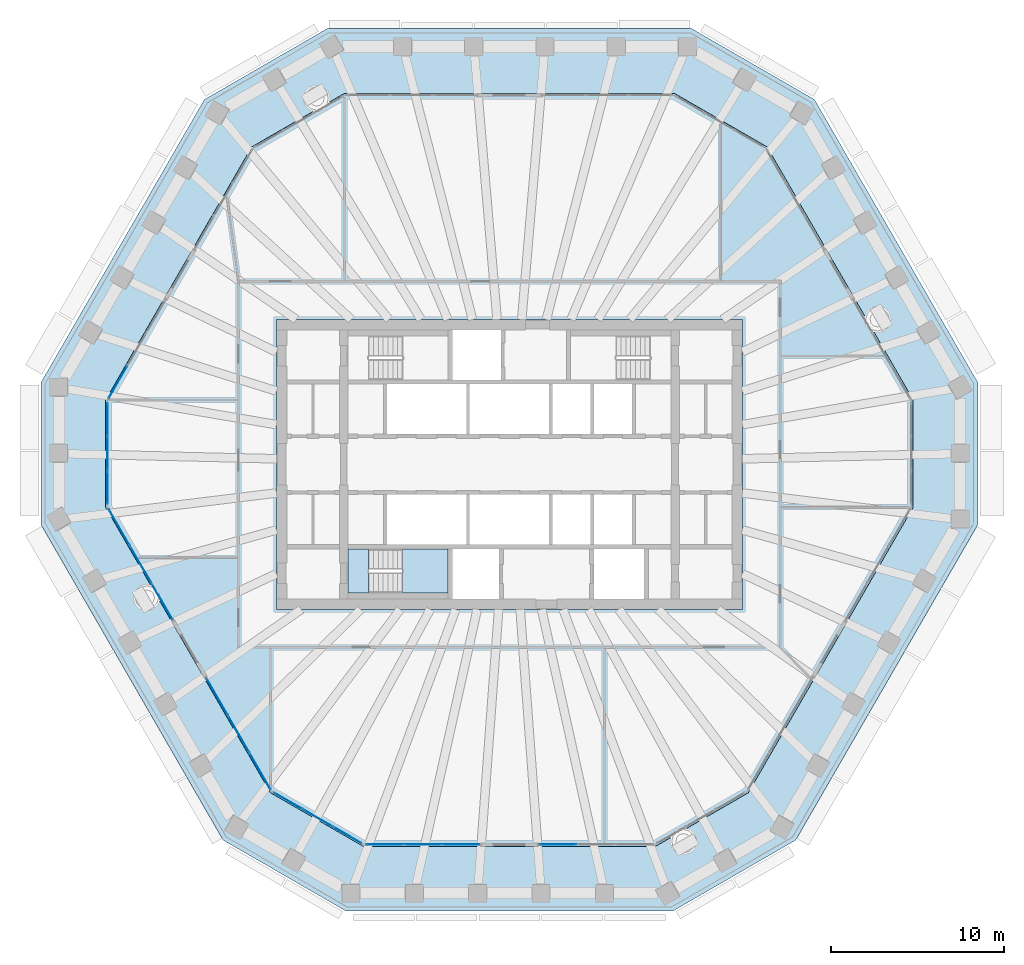
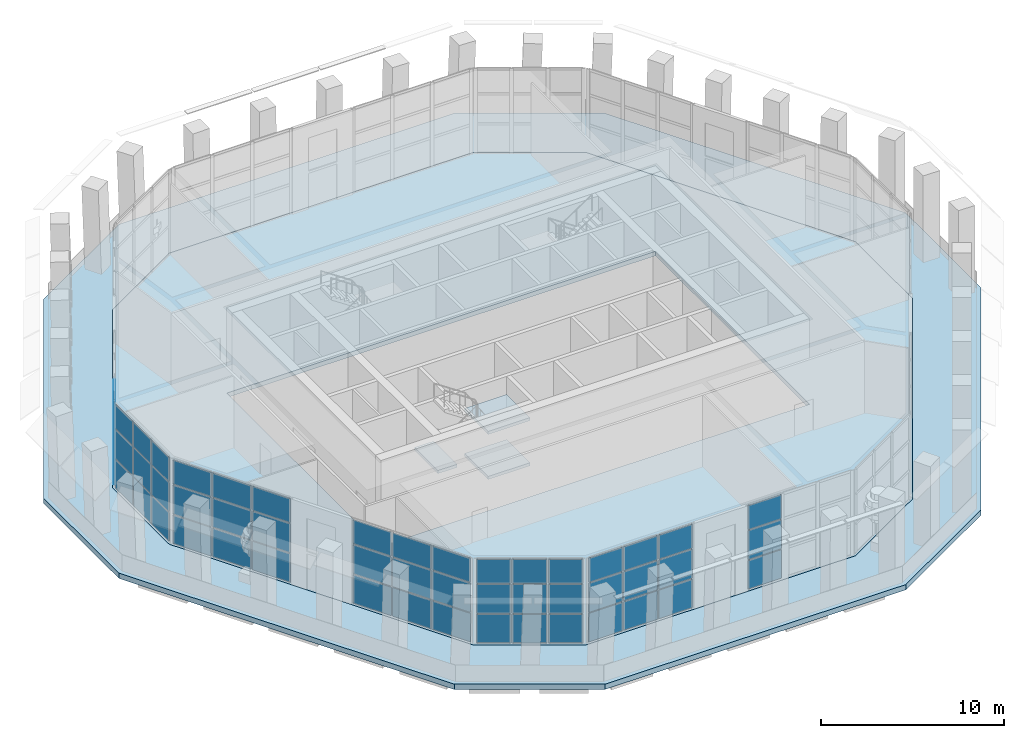
# One storey, part 9 of 19: 51 plates, 5 slabs, 8 elements without a shape of their own.
"""IFC4 building model written with IfcOpenShell, lengths in metres."""

import ifcopenshell
import ifcopenshell.guid

model = None  # the IFC model being written
_history = None  # IfcOwnerHistory: only IFC2X3 demands one
_inside = {}  # id of a spatial element -> (the spatial element, [elements in it])
_under = {}  # id of a project, library or spatial element -> (it, [spatial elements below it])
_declared = {}  # id of a project -> (the project, [libraries it declares])
_typed = {}  # id of a type object -> (the type object, [elements of that type])
_made_of = {}  # id of a material, layer set ... -> (it, [elements and type objects made of it])


def new_model(schema):
    """Start an empty IFC model of exactly this schema.

    Asked for "IFC4X3", IfcOpenShell would pick the latest addendum, in which some entities
    have other attributes; the version numbers below select the first issue.
    IFC2X3 requires an IfcOwnerHistory on every rooted entity: one is made here for all.
    """
    global model, _history
    if schema == "IFC4X3":
        model = ifcopenshell.file(schema_version=(4, 3, 0, 0))
    else:
        model = ifcopenshell.file(schema=schema)
    _inside.clear()
    _under.clear()
    _declared.clear()
    _typed.clear()
    _made_of.clear()
    _history = None
    if model.schema == "IFC2X3":
        org = make("IfcOrganization", Name="unknown")
        user = make(
            "IfcPersonAndOrganization",
            ThePerson=make("IfcPerson", FamilyName="unknown"),
            TheOrganization=org,
        )
        app = make(
            "IfcApplication",
            ApplicationDeveloper=org,
            Version="unknown",
            ApplicationFullName="unknown",
            ApplicationIdentifier="unknown",
        )
        _history = make(
            "IfcOwnerHistory",
            OwningUser=user,
            OwningApplication=app,
            ChangeAction="ADDED",
            CreationDate=0,
        )
    return model


def make(cls, **values):
    """One entity of the class cls with the attributes given. An attribute that is None is left unset."""
    return model.create_entity(
        cls, **{name: value for name, value in values.items() if value is not None}
    )


def rooted(cls, **values):
    """An entity with a GlobalId (a new one), such as an element, a storey or a relation."""
    return make(cls, GlobalId=ifcopenshell.guid.new(), OwnerHistory=_history, **values)


def si_unit(unit_type, name, prefix=None):
    """IfcSIUnit, for example si_unit("LENGTHUNIT", "METRE", prefix="MILLI")."""
    return make("IfcSIUnit", UnitType=unit_type, Prefix=prefix, Name=name)


def assignment(units):
    """IfcUnitAssignment: the units of a project."""
    return None if units is None else make("IfcUnitAssignment", Units=units)


def point(xyz):
    """IfcCartesianPoint."""
    return None if xyz is None else make("IfcCartesianPoint", Coordinates=xyz)


def direction(xyz):
    """IfcDirection."""
    return None if xyz is None else make("IfcDirection", DirectionRatios=xyz)


def frame(location, z_axis=None, x_axis=None):
    """IfcAxis2Placement3D, a coordinate frame: its origin and axes. An axis left out is left unset."""
    return make(
        "IfcAxis2Placement3D",
        Location=point(location),
        Axis=direction(z_axis),
        RefDirection=direction(x_axis),
    )


def frame_2d(location, x_axis=None):
    """IfcAxis2Placement2D, a coordinate frame in the plane: its origin and x axis."""
    return make(
        "IfcAxis2Placement2D", Location=point(location), RefDirection=direction(x_axis)
    )


def origin():
    """The frame at (0, 0, 0) with its axes left unset."""
    return frame((0.0, 0.0, 0.0))


def origin_2d():
    """The frame at (0, 0) in the plane with its x axis left unset."""
    return frame_2d((0.0, 0.0))


def place(relative_to, where):
    """IfcLocalPlacement: puts the frame where relative to a parent placement (None: the world)."""
    return make(
        "IfcLocalPlacement", PlacementRelTo=relative_to, RelativePlacement=where
    )


def context(
    kind, dimensions, precision=None, world=None, true_north=None, identifier=None
):
    """IfcGeometricRepresentationContext, for example the 3D "Model" context."""
    return make(
        "IfcGeometricRepresentationContext",
        ContextIdentifier=identifier,
        ContextType=kind,
        CoordinateSpaceDimension=dimensions,
        Precision=precision,
        WorldCoordinateSystem=world,
        TrueNorth=true_north,
    )


def subcontext(parent, identifier, kind, view, scale=None):
    """IfcGeometricRepresentationSubContext, for example "Body" below "Model"."""
    return make(
        "IfcGeometricRepresentationSubContext",
        ContextIdentifier=identifier,
        ContextType=kind,
        ParentContext=parent,
        TargetScale=scale,
        TargetView=view,
    )


def project(units=None, contexts=None):
    """IfcProject with its units and contexts."""
    return rooted(
        "IfcProject",
        Name="project",
        RepresentationContexts=contexts,
        UnitsInContext=assignment(units),
    )


def spatial(cls, under=None, at=None, **own):
    """A site, building, storey or space (cls), placed at a placement, below another one or the project."""
    s = rooted(cls, ObjectPlacement=at, **own)
    if under is not None:
        _under.setdefault(under.id(), (under, []))[1].append(s)
    return s


def polyline(points):
    """IfcPolyline through the points."""
    return make("IfcPolyline", Points=[point(p) for p in points])


def profile(cls, at=None, kind="AREA", **sizes):
    """A parametric profile (cls). Its sizes go by their IFC names, for example OverallWidth=200.0."""
    return make(cls, ProfileType=kind, Position=at, **sizes)


def rectangle(**sizes):
    """IfcRectangleProfileDef."""
    return profile("IfcRectangleProfileDef", **sizes)


def outline(outer, holes=None, kind="AREA"):
    """IfcArbitraryClosedProfileDef: a profile drawn as a closed curve; with holes, ...WithVoids."""
    if holes is None:
        return make("IfcArbitraryClosedProfileDef", ProfileType=kind, OuterCurve=outer)
    return make(
        "IfcArbitraryProfileDefWithVoids",
        ProfileType=kind,
        OuterCurve=outer,
        InnerCurves=holes,
    )


def extrude(swept, where, along, depth):
    """IfcExtrudedAreaSolid: the profile swept, set in the frame where, extruded along a direction by depth."""
    return make(
        "IfcExtrudedAreaSolid",
        SweptArea=swept,
        Position=where,
        ExtrudedDirection=direction(along),
        Depth=depth,
    )


def shape(context_of_items, identifier, shape_type, items):
    """IfcShapeRepresentation: the items that make up one representation, for example the "Body"."""
    return make(
        "IfcShapeRepresentation",
        ContextOfItems=context_of_items,
        RepresentationIdentifier=identifier,
        RepresentationType=shape_type,
        Items=items,
    )


def material(Name=None, Category=None):
    """IfcMaterial."""
    return make("IfcMaterial", Name=Name, Category=Category)


def layer(
    of_material, thickness, ventilated=None, Name=None, Category=None, Priority=None
):
    """IfcMaterialLayer: one layer of a wall or slab, of a material (None: an air gap)."""
    return make(
        "IfcMaterialLayer",
        Material=of_material,
        LayerThickness=thickness,
        IsVentilated=ventilated,
        Name=Name,
        Category=Category,
        Priority=Priority,
    )


def layer_set(layers, Name=None):
    """IfcMaterialLayerSet."""
    return make("IfcMaterialLayerSet", MaterialLayers=layers, LayerSetName=Name)


def made_of(thing, what):
    """Note that an element or type object is made of a material, layer set ...; save() writes the relation."""
    if what is not None:
        _made_of.setdefault(what.id(), (what, []))[1].append(thing)
    return thing


def type_object(cls, material=None, **own):
    """A type object (cls), such as IfcWallType, which elements share."""
    return made_of(rooted(cls, **own), material)


def element(
    cls,
    number,
    at=None,
    inside=None,
    cuts=None,
    type_object=None,
    material=None,
    context=None,
    identifier="Body",
    shape_type=None,
    held_by="IfcProductDefinitionShape",
    body=None,
    shapes=None,
    **own,
):
    """One element of the class cls, such as IfcWall. Its Tag is "e" and its number.

    at: its placement. inside: the storey or other place that contains it. cuts: it is an
    opening in that element (IfcRelVoidsElement). A single representation is given by context,
    identifier, shape_type and body (its items); several are given by shapes. held_by: the class
    of the entity that holds the representations. save() writes the other relations.
    """
    e = rooted(cls, Tag="e%d" % number, ObjectPlacement=at, **own)
    if body is not None:
        shapes = [shape(context, identifier, shape_type, body)]
    if shapes is not None:
        e.Representation = make(held_by, Representations=shapes)
    if inside is not None:
        _inside.setdefault(inside.id(), (inside, []))[1].append(e)
    if cuts is not None:
        rooted(
            "IfcRelVoidsElement", RelatingBuildingElement=cuts, RelatedOpeningElement=e
        )
    if type_object is not None:
        _typed.setdefault(type_object.id(), (type_object, []))[1].append(e)
    return made_of(e, material)


def aggregate(whole, parts):
    """IfcRelAggregates: a whole, such as a stair, and the parts it consists of."""
    return rooted("IfcRelAggregates", RelatingObject=whole, RelatedObjects=parts)


def save(model, path):
    """Write the relations noted so far, then the file.

    IfcRelAggregates (storeys below a building ...), IfcRelContainedInSpatialStructure (elements
    in a storey), IfcRelDefinesByType, IfcRelAssociatesMaterial and IfcRelDeclares: one each for
    every whole, place, type object, material and project.
    """
    for whole, parts in _under.values():
        aggregate(whole, parts)
    for where, things in _inside.values():
        rooted(
            "IfcRelContainedInSpatialStructure",
            RelatedElements=things,
            RelatingStructure=where,
        )
    for kind, things in _typed.values():
        rooted("IfcRelDefinesByType", RelatedObjects=things, RelatingType=kind)
    for what, things in _made_of.values():
        rooted("IfcRelAssociatesMaterial", RelatedObjects=things, RelatingMaterial=what)
    for by, libraries in _declared.values():
        rooted("IfcRelDeclares", RelatingContext=by, RelatedDefinitions=libraries)
    model.write(path)


model = new_model("IFC4")

# Units and contexts
model_context = context("Model", 3, precision=1e-05, world=origin(), true_north=direction((0.0, 1.0)))
body_context = subcontext(model_context, "Body", "Model", "MODEL_VIEW")
ifc_project = project(units=[si_unit("LENGTHUNIT", "METRE"), si_unit("AREAUNIT", "SQUARE_METRE"), si_unit("VOLUMEUNIT", "CUBIC_METRE"), si_unit("PLANEANGLEUNIT", "RADIAN"), si_unit("MASSUNIT", "GRAM", prefix="KILO")], contexts=[model_context])

# Site, building, storey
site_placement = place(None, origin())
site = spatial("IfcSite", under=ifc_project, at=site_placement, CompositionType="ELEMENT")
building_placement = place(site_placement, origin())
building = spatial("IfcBuilding", under=site, at=building_placement, Name="Frailejon Research Tower", CompositionType="ELEMENT")
storey_placement = place(building_placement, frame((0.0, 0.0, 231.39990234375)))
storey = spatial("IfcBuildingStorey", under=building, at=storey_placement, Name="L50", CompositionType="ELEMENT", Elevation=231.39990234375)

# Slab
ifc_material_1 = material(Name="Concrete C40/50", Category="concrete")
ifc_layer_1 = layer(ifc_material_1, 0.35009765625)
ifc_layer_set_1 = layer_set([ifc_layer_1], Name="Loggia slab 350")
slab_type_1 = type_object("IfcSlabType", Name="Loggia slab 350", PredefinedType="USERDEFINED", material=ifc_layer_set_1)
slab_1_placement = place(storey_placement, frame((0.0, 0.0, -0.349853515625)))
element("IfcSlab", 1, at=slab_1_placement, inside=storey, type_object=slab_type_1, Name="Loggia slab L50", ObjectType="LOGGIA", PredefinedType="USERDEFINED", context=body_context, shape_type="SweptSolid", body=[
    extrude(outline(polyline([(16.5869140625, -21.7705078125), (9.4716796875, -25.87841796875), (-9.4716796875, -25.87841796875), (-16.5869140625, -21.7705078125), (-27.147216796875, -3.4794921875), (-27.147216796875, 4.736572265625), (-17.675537109375, 21.141845703125), (-10.560302734375, 25.25), (10.560302734375, 25.25), (17.675537109375, 21.141845703125), (27.147216796875, 4.736572265625), (27.147216796875, -3.4794921875), (16.5869140625, -21.7705078125)]), holes=[polyline([(23.397216796875, 3.731689453125), (14.930419921875, 18.396728515625), (9.555419921875, 21.5), (-9.555419921875, 21.5), (-14.930419921875, 18.396728515625), (-23.397216796875, 3.731689453125), (-23.397216796875, -2.474609375), (-13.841796875, -19.025390625), (-8.466796875, -22.12841796875), (8.466796875, -22.12841796875), (13.841796875, -19.025390625), (23.397216796875, -2.474609375), (23.397216796875, 3.731689453125)])]), origin(), (0.0, 0.0, 1.0), 0.349853515625),
])

# Curtain wall, plates
ifc_material_2 = material(Name="Aluminium curtain wall", Category="aluminium")
curtain_wall_type = type_object("IfcCurtainWallType", Name="Sky lobby curtain wall system", PredefinedType="NOTDEFINED", material=ifc_material_2)
curtain_wall_1_placement = place(storey_placement, origin())
curtain_wall_1 = element("IfcCurtainWall", 2, at=curtain_wall_1_placement, inside=storey, type_object=curtain_wall_type, Name="Curtain wall L50", PredefinedType="NOTDEFINED")
ifc_material_3 = material(Name="Clear laminated glass", Category="glass")
ifc_layer_2 = layer(ifc_material_3, 0.031982421875)
ifc_layer_set_2 = layer_set([ifc_layer_2], Name="Sky lobby curtain wall glass panel 32")
plate_type = type_object("IfcPlateType", Name="Sky lobby curtain wall glass panel 32", PredefinedType="CURTAIN_PANEL", material=ifc_layer_set_2)
plate_1_placement = place(storey_placement, frame((-22.684326171875, 4.766845703125, 0.070068359375), z_axis=(0.0, 0.0, 1.0), x_axis=(-0.500000064178, -0.866025366731, 0.0)))
plate_1 = element("IfcPlate", 3, at=plate_1_placement, type_object=plate_type, Name="CW4-107 panel 3.1", PredefinedType="CURTAIN_PANEL", context=body_context, shape_type="SweptSolid", body=[
    extrude(rectangle(XDim=2.1123046875, YDim=0.031982421875, at=origin_2d()), origin(), (0.0, 0.0, 1.0), 1.89501953125),
])
plate_2_placement = place(storey_placement, frame((-22.684326171875, 4.766845703125, 2.03515625), z_axis=(0.0, 0.0, 1.0), x_axis=(-0.500000064178, -0.866025366731, 0.0)))
plate_2 = element("IfcPlate", 4, at=plate_2_placement, type_object=plate_type, Name="CW4-107 panel 3.2", PredefinedType="CURTAIN_PANEL", context=body_context, shape_type="SweptSolid", body=[
    extrude(rectangle(XDim=2.1123046875, YDim=0.031982421875, at=origin_2d()), origin(), (0.0, 0.0, 1.0), 1.929931640625),
])
plate_3_placement = place(storey_placement, frame((-22.684326171875, 4.766845703125, 4.03515625), z_axis=(0.0, 0.0, 1.0), x_axis=(-0.500000064178, -0.866025366731, 0.0)))
plate_3 = element("IfcPlate", 5, at=plate_3_placement, type_object=plate_type, Name="CW4-107 panel 3.3", PredefinedType="CURTAIN_PANEL", context=body_context, shape_type="SweptSolid", body=[
    extrude(rectangle(XDim=2.1123046875, YDim=0.031982421875, at=origin_2d()), origin(), (0.0, 0.0, 1.0), 1.594970703125),
])
aggregate(curtain_wall_1, [plate_1, plate_2, plate_3])

curtain_wall_2_placement = place(storey_placement, origin())
curtain_wall_2 = element("IfcCurtainWall", 6, at=curtain_wall_2_placement, inside=storey, type_object=curtain_wall_type, Name="Curtain wall L50", PredefinedType="NOTDEFINED")
plate_4_placement = place(storey_placement, frame((-23.29736328125, 2.595458984375, 0.070068359375), z_axis=(0.0, 0.0, 1.0), x_axis=(0.0, -1.0, 0.0)))
plate_4 = element("IfcPlate", 7, at=plate_4_placement, type_object=plate_type, Name="CW4-108 panel 1.1", PredefinedType="CURTAIN_PANEL", context=body_context, shape_type="SweptSolid", body=[
    extrude(rectangle(XDim=1.87939453125, YDim=0.031982421875, at=origin_2d()), origin(), (0.0, 0.0, 1.0), 1.89501953125),
])
plate_5_placement = place(storey_placement, frame((-23.29736328125, 2.595458984375, 2.03515625), z_axis=(0.0, 0.0, 1.0), x_axis=(0.0, -1.0, 0.0)))
plate_5 = element("IfcPlate", 8, at=plate_5_placement, type_object=plate_type, Name="CW4-108 panel 1.2", PredefinedType="CURTAIN_PANEL", context=body_context, shape_type="SweptSolid", body=[
    extrude(rectangle(XDim=1.87939453125, YDim=0.031982421875, at=origin_2d()), origin(), (0.0, 0.0, 1.0), 1.929931640625),
])
plate_6_placement = place(storey_placement, frame((-23.29736328125, 2.595458984375, 4.03515625), z_axis=(0.0, 0.0, 1.0), x_axis=(0.0, -1.0, 0.0)))
plate_6 = element("IfcPlate", 9, at=plate_6_placement, type_object=plate_type, Name="CW4-108 panel 1.3", PredefinedType="CURTAIN_PANEL", context=body_context, shape_type="SweptSolid", body=[
    extrude(rectangle(XDim=1.87939453125, YDim=0.031982421875, at=origin_2d()), origin(), (0.0, 0.0, 1.0), 1.594970703125),
])
plate_7_placement = place(storey_placement, frame((-23.29736328125, 0.628662109375, 0.070068359375), z_axis=(0.0, 0.0, 1.0), x_axis=(0.0, -1.0, 0.0)))
plate_7 = element("IfcPlate", 10, at=plate_7_placement, type_object=plate_type, Name="CW4-108 panel 2.1", PredefinedType="CURTAIN_PANEL", context=body_context, shape_type="SweptSolid", body=[
    extrude(rectangle(XDim=1.914306640625, YDim=0.031982421875, at=origin_2d()), origin(), (0.0, 0.0, 1.0), 1.89501953125),
])
plate_8_placement = place(storey_placement, frame((-23.29736328125, 0.628662109375, 2.03515625), z_axis=(0.0, 0.0, 1.0), x_axis=(0.0, -1.0, 0.0)))
plate_8 = element("IfcPlate", 11, at=plate_8_placement, type_object=plate_type, Name="CW4-108 panel 2.2", PredefinedType="CURTAIN_PANEL", context=body_context, shape_type="SweptSolid", body=[
    extrude(rectangle(XDim=1.914306640625, YDim=0.031982421875, at=origin_2d()), origin(), (0.0, 0.0, 1.0), 1.929931640625),
])
plate_9_placement = place(storey_placement, frame((-23.29736328125, 0.628662109375, 4.03515625), z_axis=(0.0, 0.0, 1.0), x_axis=(0.0, -1.0, 0.0)))
plate_9 = element("IfcPlate", 12, at=plate_9_placement, type_object=plate_type, Name="CW4-108 panel 2.3", PredefinedType="CURTAIN_PANEL", context=body_context, shape_type="SweptSolid", body=[
    extrude(rectangle(XDim=1.914306640625, YDim=0.031982421875, at=origin_2d()), origin(), (0.0, 0.0, 1.0), 1.594970703125),
])
plate_10_placement = place(storey_placement, frame((-23.29736328125, -1.338134765625, 0.070068359375), z_axis=(0.0, 0.0, 1.0), x_axis=(0.0, -1.0, 0.0)))
plate_10 = element("IfcPlate", 13, at=plate_10_placement, type_object=plate_type, Name="CW4-108 panel 3.1", PredefinedType="CURTAIN_PANEL", context=body_context, shape_type="SweptSolid", body=[
    extrude(rectangle(XDim=1.87939453125, YDim=0.031982421875, at=origin_2d()), origin(), (0.0, 0.0, 1.0), 1.89501953125),
])
plate_11_placement = place(storey_placement, frame((-23.29736328125, -1.338134765625, 2.03515625), z_axis=(0.0, 0.0, 1.0), x_axis=(0.0, -1.0, 0.0)))
plate_11 = element("IfcPlate", 14, at=plate_11_placement, type_object=plate_type, Name="CW4-108 panel 3.2", PredefinedType="CURTAIN_PANEL", context=body_context, shape_type="SweptSolid", body=[
    extrude(rectangle(XDim=1.87939453125, YDim=0.031982421875, at=origin_2d()), origin(), (0.0, 0.0, 1.0), 1.929931640625),
])
plate_12_placement = place(storey_placement, frame((-23.29736328125, -1.338134765625, 4.03515625), z_axis=(0.0, 0.0, 1.0), x_axis=(0.0, -1.0, 0.0)))
plate_12 = element("IfcPlate", 15, at=plate_12_placement, type_object=plate_type, Name="CW4-108 panel 3.3", PredefinedType="CURTAIN_PANEL", context=body_context, shape_type="SweptSolid", body=[
    extrude(rectangle(XDim=1.87939453125, YDim=0.031982421875, at=origin_2d()), origin(), (0.0, 0.0, 1.0), 1.594970703125),
])
aggregate(curtain_wall_2, [plate_4, plate_5, plate_6, plate_7, plate_8, plate_9, plate_10, plate_11, plate_12])

curtain_wall_3_placement = place(storey_placement, origin())
curtain_wall_3 = element("IfcCurtainWall", 16, at=curtain_wall_3_placement, inside=storey, type_object=curtain_wall_type, Name="Curtain wall L50", PredefinedType="NOTDEFINED")
plate_13_placement = place(storey_placement, frame((-22.611572265625, -3.635498046875, 0.070068359375), z_axis=(0.0, 0.0, 1.0), x_axis=(0.500000524505, -0.866025100961, 0.0)))
plate_13 = element("IfcPlate", 17, at=plate_13_placement, type_object=plate_type, Name="CW4-109 panel 1.1", PredefinedType="CURTAIN_PANEL", context=body_context, shape_type="SweptSolid", body=[
    extrude(rectangle(XDim=2.402587890625, YDim=0.031982421875, at=origin_2d()), origin(), (0.0, 0.0, 1.0), 1.89501953125),
])
plate_14_placement = place(storey_placement, frame((-22.611572265625, -3.635498046875, 2.03515625), z_axis=(0.0, 0.0, 1.0), x_axis=(0.500000524505, -0.866025100961, 0.0)))
plate_14 = element("IfcPlate", 18, at=plate_14_placement, type_object=plate_type, Name="CW4-109 panel 1.2", PredefinedType="CURTAIN_PANEL", context=body_context, shape_type="SweptSolid", body=[
    extrude(rectangle(XDim=2.402587890625, YDim=0.031982421875, at=origin_2d()), origin(), (0.0, 0.0, 1.0), 1.929931640625),
])
plate_15_placement = place(storey_placement, frame((-22.611572265625, -3.635498046875, 4.03515625), z_axis=(0.0, 0.0, 1.0), x_axis=(0.500000524505, -0.866025100961, 0.0)))
plate_15 = element("IfcPlate", 19, at=plate_15_placement, type_object=plate_type, Name="CW4-109 panel 1.3", PredefinedType="CURTAIN_PANEL", context=body_context, shape_type="SweptSolid", body=[
    extrude(rectangle(XDim=2.402587890625, YDim=0.031982421875, at=origin_2d()), origin(), (0.0, 0.0, 1.0), 1.594970703125),
])
plate_16_placement = place(storey_placement, frame((-21.366455078125, -5.7919921875, 0.070068359375), z_axis=(0.0, 0.0, 1.0), x_axis=(0.500000524505, -0.866025100961, 0.0)))
plate_16 = element("IfcPlate", 20, at=plate_16_placement, type_object=plate_type, Name="CW4-109 panel 2.1", PredefinedType="CURTAIN_PANEL", context=body_context, shape_type="SweptSolid", body=[
    extrude(rectangle(XDim=2.437744140625, YDim=0.031982421875, at=origin_2d()), origin(), (0.0, 0.0, 1.0), 1.89501953125),
])
plate_17_placement = place(storey_placement, frame((-21.366455078125, -5.7919921875, 2.03515625), z_axis=(0.0, 0.0, 1.0), x_axis=(0.500000524505, -0.866025100961, 0.0)))
plate_17 = element("IfcPlate", 21, at=plate_17_placement, type_object=plate_type, Name="CW4-109 panel 2.2", PredefinedType="CURTAIN_PANEL", context=body_context, shape_type="SweptSolid", body=[
    extrude(rectangle(XDim=2.437744140625, YDim=0.031982421875, at=origin_2d()), origin(), (0.0, 0.0, 1.0), 1.929931640625),
])
plate_18_placement = place(storey_placement, frame((-21.366455078125, -5.7919921875, 4.03515625), z_axis=(0.0, 0.0, 1.0), x_axis=(0.500000524505, -0.866025100961, 0.0)))
plate_18 = element("IfcPlate", 22, at=plate_18_placement, type_object=plate_type, Name="CW4-109 panel 2.3", PredefinedType="CURTAIN_PANEL", context=body_context, shape_type="SweptSolid", body=[
    extrude(rectangle(XDim=2.437744140625, YDim=0.031982421875, at=origin_2d()), origin(), (0.0, 0.0, 1.0), 1.594970703125),
])
plate_19_placement = place(storey_placement, frame((-20.12158203125, -7.948486328125, 0.070068359375), z_axis=(0.0, 0.0, 1.0), x_axis=(0.500000524505, -0.866025100961, 0.0)))
plate_19 = element("IfcPlate", 23, at=plate_19_placement, type_object=plate_type, Name="CW4-109 panel 3.1", PredefinedType="CURTAIN_PANEL", context=body_context, shape_type="SweptSolid", body=[
    extrude(rectangle(XDim=2.402587890625, YDim=0.031982421875, at=origin_2d()), origin(), (0.0, 0.0, 1.0), 1.89501953125),
])
plate_20_placement = place(storey_placement, frame((-20.12158203125, -7.948486328125, 2.03515625), z_axis=(0.0, 0.0, 1.0), x_axis=(0.500000524505, -0.866025100961, 0.0)))
plate_20 = element("IfcPlate", 24, at=plate_20_placement, type_object=plate_type, Name="CW4-109 panel 3.2", PredefinedType="CURTAIN_PANEL", context=body_context, shape_type="SweptSolid", body=[
    extrude(rectangle(XDim=2.402587890625, YDim=0.031982421875, at=origin_2d()), origin(), (0.0, 0.0, 1.0), 1.929931640625),
])
plate_21_placement = place(storey_placement, frame((-20.12158203125, -7.948486328125, 4.03515625), z_axis=(0.0, 0.0, 1.0), x_axis=(0.500000524505, -0.866025100961, 0.0)))
plate_21 = element("IfcPlate", 25, at=plate_21_placement, type_object=plate_type, Name="CW4-109 panel 3.3", PredefinedType="CURTAIN_PANEL", context=body_context, shape_type="SweptSolid", body=[
    extrude(rectangle(XDim=2.402587890625, YDim=0.031982421875, at=origin_2d()), origin(), (0.0, 0.0, 1.0), 1.594970703125),
])
aggregate(curtain_wall_3, [plate_13, plate_14, plate_15, plate_16, plate_17, plate_18, plate_19, plate_20, plate_21])

curtain_wall_4_placement = place(storey_placement, origin())
curtain_wall_4 = element("IfcCurtainWall", 26, at=curtain_wall_4_placement, inside=storey, type_object=curtain_wall_type, Name="Curtain wall L50", PredefinedType="NOTDEFINED")
plate_22_placement = place(storey_placement, frame((-16.9443359375, -13.451416015625, 0.070068359375), z_axis=(0.0, 0.0, 1.0), x_axis=(0.500000524505, -0.866025100961, 0.0)))
plate_22 = element("IfcPlate", 27, at=plate_22_placement, type_object=plate_type, Name="CW4-110 panel 1.1", PredefinedType="CURTAIN_PANEL", context=body_context, shape_type="SweptSolid", body=[
    extrude(rectangle(XDim=2.402587890625, YDim=0.031982421875, at=origin_2d()), origin(), (0.0, 0.0, 1.0), 1.89501953125),
])
plate_23_placement = place(storey_placement, frame((-16.9443359375, -13.451416015625, 2.03515625), z_axis=(0.0, 0.0, 1.0), x_axis=(0.500000524505, -0.866025100961, 0.0)))
plate_23 = element("IfcPlate", 28, at=plate_23_placement, type_object=plate_type, Name="CW4-110 panel 1.2", PredefinedType="CURTAIN_PANEL", context=body_context, shape_type="SweptSolid", body=[
    extrude(rectangle(XDim=2.402587890625, YDim=0.031982421875, at=origin_2d()), origin(), (0.0, 0.0, 1.0), 1.929931640625),
])
plate_24_placement = place(storey_placement, frame((-16.9443359375, -13.451416015625, 4.03515625), z_axis=(0.0, 0.0, 1.0), x_axis=(0.500000524505, -0.866025100961, 0.0)))
plate_24 = element("IfcPlate", 29, at=plate_24_placement, type_object=plate_type, Name="CW4-110 panel 1.3", PredefinedType="CURTAIN_PANEL", context=body_context, shape_type="SweptSolid", body=[
    extrude(rectangle(XDim=2.402587890625, YDim=0.031982421875, at=origin_2d()), origin(), (0.0, 0.0, 1.0), 1.594970703125),
])
plate_25_placement = place(storey_placement, frame((-15.699462890625, -15.60791015625, 0.070068359375), z_axis=(0.0, 0.0, 1.0), x_axis=(0.500000524505, -0.866025100961, 0.0)))
plate_25 = element("IfcPlate", 30, at=plate_25_placement, type_object=plate_type, Name="CW4-110 panel 2.1", PredefinedType="CURTAIN_PANEL", context=body_context, shape_type="SweptSolid", body=[
    extrude(rectangle(XDim=2.437744140625, YDim=0.031982421875, at=origin_2d()), origin(), (0.0, 0.0, 1.0), 1.89501953125),
])
plate_26_placement = place(storey_placement, frame((-15.699462890625, -15.60791015625, 2.03515625), z_axis=(0.0, 0.0, 1.0), x_axis=(0.500000524505, -0.866025100961, 0.0)))
plate_26 = element("IfcPlate", 31, at=plate_26_placement, type_object=plate_type, Name="CW4-110 panel 2.2", PredefinedType="CURTAIN_PANEL", context=body_context, shape_type="SweptSolid", body=[
    extrude(rectangle(XDim=2.437744140625, YDim=0.031982421875, at=origin_2d()), origin(), (0.0, 0.0, 1.0), 1.929931640625),
])
plate_27_placement = place(storey_placement, frame((-15.699462890625, -15.60791015625, 4.03515625), z_axis=(0.0, 0.0, 1.0), x_axis=(0.500000524505, -0.866025100961, 0.0)))
plate_27 = element("IfcPlate", 32, at=plate_27_placement, type_object=plate_type, Name="CW4-110 panel 2.3", PredefinedType="CURTAIN_PANEL", context=body_context, shape_type="SweptSolid", body=[
    extrude(rectangle(XDim=2.437744140625, YDim=0.031982421875, at=origin_2d()), origin(), (0.0, 0.0, 1.0), 1.594970703125),
])
plate_28_placement = place(storey_placement, frame((-14.454345703125, -17.764404296875, 0.070068359375), z_axis=(0.0, 0.0, 1.0), x_axis=(0.500000524505, -0.866025100961, 0.0)))
plate_28 = element("IfcPlate", 33, at=plate_28_placement, type_object=plate_type, Name="CW4-110 panel 3.1", PredefinedType="CURTAIN_PANEL", context=body_context, shape_type="SweptSolid", body=[
    extrude(rectangle(XDim=2.402587890625, YDim=0.031982421875, at=origin_2d()), origin(), (0.0, 0.0, 1.0), 1.89501953125),
])
plate_29_placement = place(storey_placement, frame((-14.454345703125, -17.764404296875, 2.03515625), z_axis=(0.0, 0.0, 1.0), x_axis=(0.500000524505, -0.866025100961, 0.0)))
plate_29 = element("IfcPlate", 34, at=plate_29_placement, type_object=plate_type, Name="CW4-110 panel 3.2", PredefinedType="CURTAIN_PANEL", context=body_context, shape_type="SweptSolid", body=[
    extrude(rectangle(XDim=2.402587890625, YDim=0.031982421875, at=origin_2d()), origin(), (0.0, 0.0, 1.0), 1.929931640625),
])
plate_30_placement = place(storey_placement, frame((-14.454345703125, -17.764404296875, 4.03515625), z_axis=(0.0, 0.0, 1.0), x_axis=(0.500000524505, -0.866025100961, 0.0)))
plate_30 = element("IfcPlate", 35, at=plate_30_placement, type_object=plate_type, Name="CW4-110 panel 3.3", PredefinedType="CURTAIN_PANEL", context=body_context, shape_type="SweptSolid", body=[
    extrude(rectangle(XDim=2.402587890625, YDim=0.031982421875, at=origin_2d()), origin(), (0.0, 0.0, 1.0), 1.594970703125),
])
aggregate(curtain_wall_4, [plate_22, plate_23, plate_24, plate_25, plate_26, plate_27, plate_28, plate_29, plate_30])

curtain_wall_5_placement = place(storey_placement, origin())
curtain_wall_5 = element("IfcCurtainWall", 36, at=curtain_wall_5_placement, inside=storey, type_object=curtain_wall_type, Name="Curtain wall L50", PredefinedType="NOTDEFINED")
plate_31_placement = place(storey_placement, frame((-12.8076171875, -19.5068359375, 0.070068359375), z_axis=(0.0, 0.0, 1.0), x_axis=(0.866030610282, -0.499990981974, 0.0)))
plate_31 = element("IfcPlate", 37, at=plate_31_placement, type_object=plate_type, Name="CW4-111 panel 1.1", PredefinedType="CURTAIN_PANEL", context=body_context, shape_type="SweptSolid", body=[
    extrude(rectangle(XDim=1.87939453125, YDim=0.031982421875, at=origin_2d()), origin(), (0.0, 0.0, 1.0), 1.89501953125),
])
plate_32_placement = place(storey_placement, frame((-12.8076171875, -19.5068359375, 2.03515625), z_axis=(0.0, 0.0, 1.0), x_axis=(0.866030610282, -0.499990981974, 0.0)))
plate_32 = element("IfcPlate", 38, at=plate_32_placement, type_object=plate_type, Name="CW4-111 panel 1.2", PredefinedType="CURTAIN_PANEL", context=body_context, shape_type="SweptSolid", body=[
    extrude(rectangle(XDim=1.87939453125, YDim=0.031982421875, at=origin_2d()), origin(), (0.0, 0.0, 1.0), 1.929931640625),
])
plate_33_placement = place(storey_placement, frame((-12.8076171875, -19.5068359375, 4.03515625), z_axis=(0.0, 0.0, 1.0), x_axis=(0.866030610282, -0.499990981974, 0.0)))
plate_33 = element("IfcPlate", 39, at=plate_33_placement, type_object=plate_type, Name="CW4-111 panel 1.3", PredefinedType="CURTAIN_PANEL", context=body_context, shape_type="SweptSolid", body=[
    extrude(rectangle(XDim=1.87939453125, YDim=0.031982421875, at=origin_2d()), origin(), (0.0, 0.0, 1.0), 1.594970703125),
])
plate_34_placement = place(storey_placement, frame((-11.104248046875, -20.490234375, 0.070068359375), z_axis=(0.0, 0.0, 1.0), x_axis=(0.866030610282, -0.499990981974, 0.0)))
plate_34 = element("IfcPlate", 40, at=plate_34_placement, type_object=plate_type, Name="CW4-111 panel 2.1", PredefinedType="CURTAIN_PANEL", context=body_context, shape_type="SweptSolid", body=[
    extrude(rectangle(XDim=1.914306640625, YDim=0.031982421875, at=origin_2d()), origin(), (0.0, 0.0, 1.0), 1.89501953125),
])
plate_35_placement = place(storey_placement, frame((-11.104248046875, -20.490234375, 2.03515625), z_axis=(0.0, 0.0, 1.0), x_axis=(0.866030610282, -0.499990981974, 0.0)))
plate_35 = element("IfcPlate", 41, at=plate_35_placement, type_object=plate_type, Name="CW4-111 panel 2.2", PredefinedType="CURTAIN_PANEL", context=body_context, shape_type="SweptSolid", body=[
    extrude(rectangle(XDim=1.914306640625, YDim=0.031982421875, at=origin_2d()), origin(), (0.0, 0.0, 1.0), 1.929931640625),
])
plate_36_placement = place(storey_placement, frame((-11.104248046875, -20.490234375, 4.03515625), z_axis=(0.0, 0.0, 1.0), x_axis=(0.866030610282, -0.499990981974, 0.0)))
plate_36 = element("IfcPlate", 42, at=plate_36_placement, type_object=plate_type, Name="CW4-111 panel 2.3", PredefinedType="CURTAIN_PANEL", context=body_context, shape_type="SweptSolid", body=[
    extrude(rectangle(XDim=1.914306640625, YDim=0.031982421875, at=origin_2d()), origin(), (0.0, 0.0, 1.0), 1.594970703125),
])
plate_37_placement = place(storey_placement, frame((-9.40087890625, -21.4736328125, 0.070068359375), z_axis=(0.0, 0.0, 1.0), x_axis=(0.866030610282, -0.499990981974, 0.0)))
plate_37 = element("IfcPlate", 43, at=plate_37_placement, type_object=plate_type, Name="CW4-111 panel 3.1", PredefinedType="CURTAIN_PANEL", context=body_context, shape_type="SweptSolid", body=[
    extrude(rectangle(XDim=1.87939453125, YDim=0.031982421875, at=origin_2d()), origin(), (0.0, 0.0, 1.0), 1.89501953125),
])
plate_38_placement = place(storey_placement, frame((-9.40087890625, -21.4736328125, 2.03515625), z_axis=(0.0, 0.0, 1.0), x_axis=(0.866030610282, -0.499990981974, 0.0)))
plate_38 = element("IfcPlate", 44, at=plate_38_placement, type_object=plate_type, Name="CW4-111 panel 3.2", PredefinedType="CURTAIN_PANEL", context=body_context, shape_type="SweptSolid", body=[
    extrude(rectangle(XDim=1.87939453125, YDim=0.031982421875, at=origin_2d()), origin(), (0.0, 0.0, 1.0), 1.929931640625),
])
plate_39_placement = place(storey_placement, frame((-9.40087890625, -21.4736328125, 4.03515625), z_axis=(0.0, 0.0, 1.0), x_axis=(0.866030610282, -0.499990981974, 0.0)))
plate_39 = element("IfcPlate", 45, at=plate_39_placement, type_object=plate_type, Name="CW4-111 panel 3.3", PredefinedType="CURTAIN_PANEL", context=body_context, shape_type="SweptSolid", body=[
    extrude(rectangle(XDim=1.87939453125, YDim=0.031982421875, at=origin_2d()), origin(), (0.0, 0.0, 1.0), 1.594970703125),
])
aggregate(curtain_wall_5, [plate_31, plate_32, plate_33, plate_34, plate_35, plate_36, plate_37, plate_38, plate_39])

curtain_wall_6_placement = place(storey_placement, origin())
curtain_wall_6 = element("IfcCurtainWall", 46, at=curtain_wall_6_placement, inside=storey, type_object=curtain_wall_type, Name="Curtain wall L50", PredefinedType="NOTDEFINED")
plate_40_placement = place(storey_placement, frame((-7.2138671875, -22.028564453125, 0.070068359375), z_axis=(0.0, 0.0, 1.0), x_axis=(1.0, 0.0, 0.0)))
plate_40 = element("IfcPlate", 47, at=plate_40_placement, type_object=plate_type, Name="CW4-112 panel 1.1", PredefinedType="CURTAIN_PANEL", context=body_context, shape_type="SweptSolid", body=[
    extrude(rectangle(XDim=2.1123046875, YDim=0.031982421875, at=origin_2d()), origin(), (0.0, 0.0, 1.0), 1.89501953125),
])
plate_41_placement = place(storey_placement, frame((-7.2138671875, -22.028564453125, 2.03515625), z_axis=(0.0, 0.0, 1.0), x_axis=(1.0, 0.0, 0.0)))
plate_41 = element("IfcPlate", 48, at=plate_41_placement, type_object=plate_type, Name="CW4-112 panel 1.2", PredefinedType="CURTAIN_PANEL", context=body_context, shape_type="SweptSolid", body=[
    extrude(rectangle(XDim=2.1123046875, YDim=0.031982421875, at=origin_2d()), origin(), (0.0, 0.0, 1.0), 1.929931640625),
])
plate_42_placement = place(storey_placement, frame((-7.2138671875, -22.028564453125, 4.03515625), z_axis=(0.0, 0.0, 1.0), x_axis=(1.0, 0.0, 0.0)))
plate_42 = element("IfcPlate", 49, at=plate_42_placement, type_object=plate_type, Name="CW4-112 panel 1.3", PredefinedType="CURTAIN_PANEL", context=body_context, shape_type="SweptSolid", body=[
    extrude(rectangle(XDim=2.1123046875, YDim=0.031982421875, at=origin_2d()), origin(), (0.0, 0.0, 1.0), 1.594970703125),
])
plate_43_placement = place(storey_placement, frame((-5.013916015625, -22.028564453125, 0.070068359375), z_axis=(0.0, 0.0, 1.0), x_axis=(1.0, 0.0, 0.0)))
plate_43 = element("IfcPlate", 50, at=plate_43_placement, type_object=plate_type, Name="CW4-112 panel 2.1", PredefinedType="CURTAIN_PANEL", context=body_context, shape_type="SweptSolid", body=[
    extrude(rectangle(XDim=2.147216796875, YDim=0.031982421875, at=origin_2d()), origin(), (0.0, 0.0, 1.0), 1.89501953125),
])
plate_44_placement = place(storey_placement, frame((-5.013916015625, -22.028564453125, 2.03515625), z_axis=(0.0, 0.0, 1.0), x_axis=(1.0, 0.0, 0.0)))
plate_44 = element("IfcPlate", 51, at=plate_44_placement, type_object=plate_type, Name="CW4-112 panel 2.2", PredefinedType="CURTAIN_PANEL", context=body_context, shape_type="SweptSolid", body=[
    extrude(rectangle(XDim=2.147216796875, YDim=0.031982421875, at=origin_2d()), origin(), (0.0, 0.0, 1.0), 1.929931640625),
])
plate_45_placement = place(storey_placement, frame((-5.013916015625, -22.028564453125, 4.03515625), z_axis=(0.0, 0.0, 1.0), x_axis=(1.0, 0.0, 0.0)))
plate_45 = element("IfcPlate", 52, at=plate_45_placement, type_object=plate_type, Name="CW4-112 panel 2.3", PredefinedType="CURTAIN_PANEL", context=body_context, shape_type="SweptSolid", body=[
    extrude(rectangle(XDim=2.147216796875, YDim=0.031982421875, at=origin_2d()), origin(), (0.0, 0.0, 1.0), 1.594970703125),
])
plate_46_placement = place(storey_placement, frame((-2.814208984375, -22.028564453125, 0.070068359375), z_axis=(0.0, 0.0, 1.0), x_axis=(1.0, 0.0, 0.0)))
plate_46 = element("IfcPlate", 53, at=plate_46_placement, type_object=plate_type, Name="CW4-112 panel 3.1", PredefinedType="CURTAIN_PANEL", context=body_context, shape_type="SweptSolid", body=[
    extrude(rectangle(XDim=2.1123046875, YDim=0.031982421875, at=origin_2d()), origin(), (0.0, 0.0, 1.0), 1.89501953125),
])
plate_47_placement = place(storey_placement, frame((-2.814208984375, -22.028564453125, 2.03515625), z_axis=(0.0, 0.0, 1.0), x_axis=(1.0, 0.0, 0.0)))
plate_47 = element("IfcPlate", 54, at=plate_47_placement, type_object=plate_type, Name="CW4-112 panel 3.2", PredefinedType="CURTAIN_PANEL", context=body_context, shape_type="SweptSolid", body=[
    extrude(rectangle(XDim=2.1123046875, YDim=0.031982421875, at=origin_2d()), origin(), (0.0, 0.0, 1.0), 1.929931640625),
])
plate_48_placement = place(storey_placement, frame((-2.814208984375, -22.028564453125, 4.03515625), z_axis=(0.0, 0.0, 1.0), x_axis=(1.0, 0.0, 0.0)))
plate_48 = element("IfcPlate", 55, at=plate_48_placement, type_object=plate_type, Name="CW4-112 panel 3.3", PredefinedType="CURTAIN_PANEL", context=body_context, shape_type="SweptSolid", body=[
    extrude(rectangle(XDim=2.1123046875, YDim=0.031982421875, at=origin_2d()), origin(), (0.0, 0.0, 1.0), 1.594970703125),
])
aggregate(curtain_wall_6, [plate_40, plate_41, plate_42, plate_43, plate_44, plate_45, plate_46, plate_47, plate_48])

curtain_wall_7_placement = place(storey_placement, origin())
curtain_wall_7 = element("IfcCurtainWall", 56, at=curtain_wall_7_placement, inside=storey, type_object=curtain_wall_type, Name="Curtain wall L50", PredefinedType="NOTDEFINED")
plate_49_placement = place(storey_placement, frame((2.814208984375, -22.028564453125, 0.070068359375), z_axis=(0.0, 0.0, 1.0), x_axis=(1.0, 0.0, 0.0)))
plate_49 = element("IfcPlate", 57, at=plate_49_placement, type_object=plate_type, Name="CW4-113 panel 1.1", PredefinedType="CURTAIN_PANEL", context=body_context, shape_type="SweptSolid", body=[
    extrude(rectangle(XDim=2.1123046875, YDim=0.031982421875, at=origin_2d()), origin(), (0.0, 0.0, 1.0), 1.89501953125),
])
plate_50_placement = place(storey_placement, frame((2.814208984375, -22.028564453125, 2.03515625), z_axis=(0.0, 0.0, 1.0), x_axis=(1.0, 0.0, 0.0)))
plate_50 = element("IfcPlate", 58, at=plate_50_placement, type_object=plate_type, Name="CW4-113 panel 1.2", PredefinedType="CURTAIN_PANEL", context=body_context, shape_type="SweptSolid", body=[
    extrude(rectangle(XDim=2.1123046875, YDim=0.031982421875, at=origin_2d()), origin(), (0.0, 0.0, 1.0), 1.929931640625),
])
plate_51_placement = place(storey_placement, frame((2.814208984375, -22.028564453125, 4.03515625), z_axis=(0.0, 0.0, 1.0), x_axis=(1.0, 0.0, 0.0)))
plate_51 = element("IfcPlate", 59, at=plate_51_placement, type_object=plate_type, Name="CW4-113 panel 1.3", PredefinedType="CURTAIN_PANEL", context=body_context, shape_type="SweptSolid", body=[
    extrude(rectangle(XDim=2.1123046875, YDim=0.031982421875, at=origin_2d()), origin(), (0.0, 0.0, 1.0), 1.594970703125),
])
aggregate(curtain_wall_7, [plate_49, plate_50, plate_51])

# Slab
ifc_material_4 = material(Name="Concrete C40/50", Category="concrete")
ifc_layer_3 = layer(ifc_material_4, 0.300048828125)
ifc_layer_set_3 = layer_set([ifc_layer_3], Name="Slab typical 300")
slab_type_2 = type_object("IfcSlabType", Name="Slab typical 300", PredefinedType="FLOOR", material=ifc_layer_set_3)
slab_2_placement = place(storey_placement, frame((0.0, 0.0, -0.2998046875)))
element("IfcSlab", 60, at=slab_2_placement, inside=storey, type_object=slab_type_2, Name="Floor slab L50", PredefinedType="FLOOR", context=body_context, shape_type="SweptSolid", body=[
    extrude(outline(polyline([(23.397216796875, -2.474609375), (23.397216796875, 3.731689453125), (14.930419921875, 18.396728515625), (9.555419921875, 21.5), (-9.555419921875, 21.5), (-14.930419921875, 18.396728515625), (-23.397216796875, 3.731689453125), (-23.397216796875, -2.474609375), (-13.841796875, -19.025390625), (-8.466796875, -22.12841796875), (8.466796875, -22.12841796875), (13.841796875, -19.025390625), (23.397216796875, -2.474609375)]), holes=[polyline([(13.5, -8.39990234375), (-13.5, -8.39990234375), (-13.5, 8.39990234375), (13.5, 8.39990234375), (13.5, -8.39990234375)])]), origin(), (0.0, 0.0, 1.0), 0.2998046875),
])

# Stair, slabs
ifc_material_5 = material(Name="Concrete C50/60", Category="concrete")
stair_type = type_object("IfcStairType", Name="Exit stair 32 risers", PredefinedType="HALF_TURN_STAIR", material=ifc_material_5)
stair_placement = place(storey_placement, origin())
stair = element("IfcStair", 61, at=stair_placement, inside=storey, type_object=stair_type, Name="L50 Exit stair ST2", PredefinedType="HALF_TURN_STAIR")
ifc_material_6 = material(Name="Concrete C50/60", Category="concrete")
ifc_layer_4 = layer(ifc_material_6, 0.199951171875)
ifc_layer_set_4 = layer_set([ifc_layer_4], Name="Stair landing slab 200")
slab_type_3 = type_object("IfcSlabType", Name="Stair landing slab 200", PredefinedType="LANDING", material=ifc_layer_set_4)
slab_3_placement = place(storey_placement, frame((0.0, 0.0, 1.300048828125)))
slab_3 = element("IfcSlab", 62, at=slab_3_placement, type_object=slab_type_3, Name="ST2 landing 1", PredefinedType="LANDING", context=body_context, shape_type="SweptSolid", body=[
    extrude(outline(polyline([(-6.18994140625, -7.449951171875), (-3.550048828125, -7.449951171875), (-3.550048828125, -4.89990234375), (-6.18994140625, -4.89990234375), (-6.18994140625, -7.449951171875)])), origin(), (0.0, 0.0, 1.0), 0.199951171875),
])
slab_4_placement = place(storey_placement, frame((0.0, 0.0, 2.800048828125)))
slab_4 = element("IfcSlab", 63, at=slab_4_placement, type_object=slab_type_3, Name="ST2 landing 2", PredefinedType="LANDING", context=body_context, shape_type="SweptSolid", body=[
    extrude(outline(polyline([(-9.35009765625, -7.449951171875), (-8.14990234375, -7.449951171875), (-8.14990234375, -4.89990234375), (-9.35009765625, -4.89990234375), (-9.35009765625, -7.449951171875)])), origin(), (0.0, 0.0, 1.0), 0.199951171875),
])
slab_5_placement = place(storey_placement, frame((0.0, 0.0, 4.300048828125)))
slab_5 = element("IfcSlab", 64, at=slab_5_placement, type_object=slab_type_3, Name="ST2 landing 3", PredefinedType="LANDING", context=body_context, shape_type="SweptSolid", body=[
    extrude(outline(polyline([(-6.18994140625, -7.449951171875), (-3.550048828125, -7.449951171875), (-3.550048828125, -4.89990234375), (-6.18994140625, -4.89990234375), (-6.18994140625, -7.449951171875)])), origin(), (0.0, 0.0, 1.0), 0.199951171875),
])
aggregate(stair, [slab_3, slab_4, slab_5])

save(model, "model.ifc")
